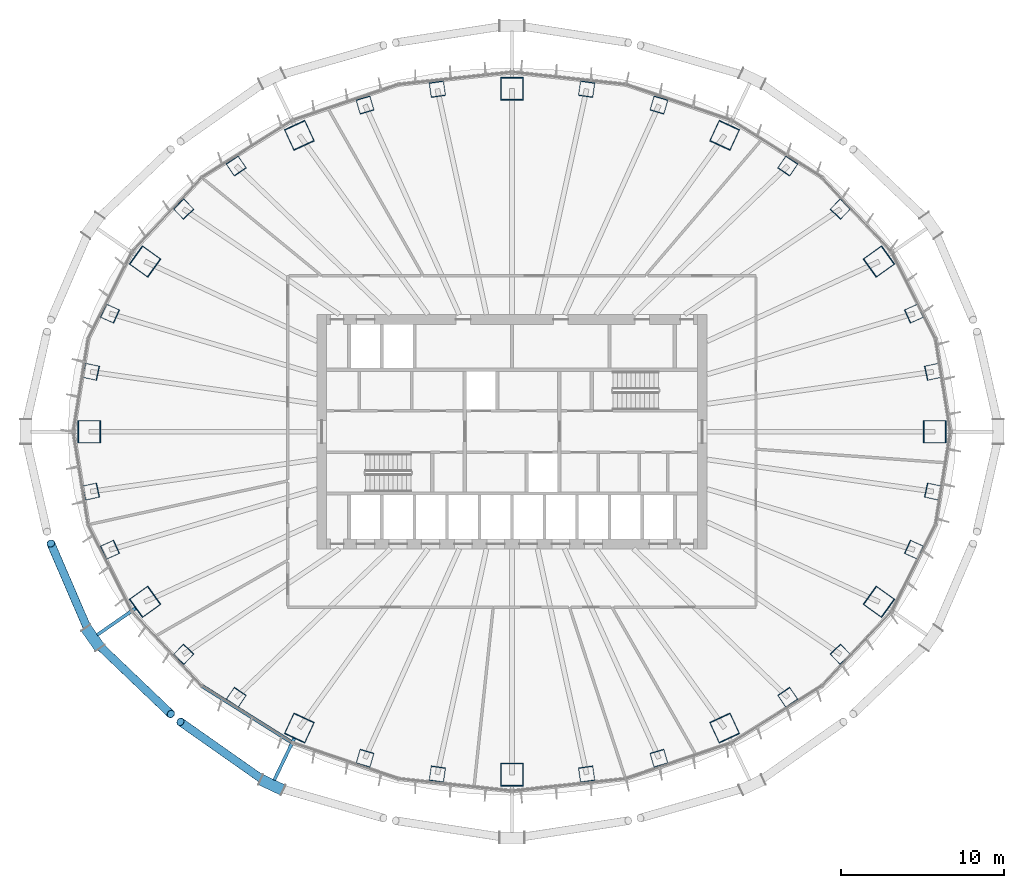
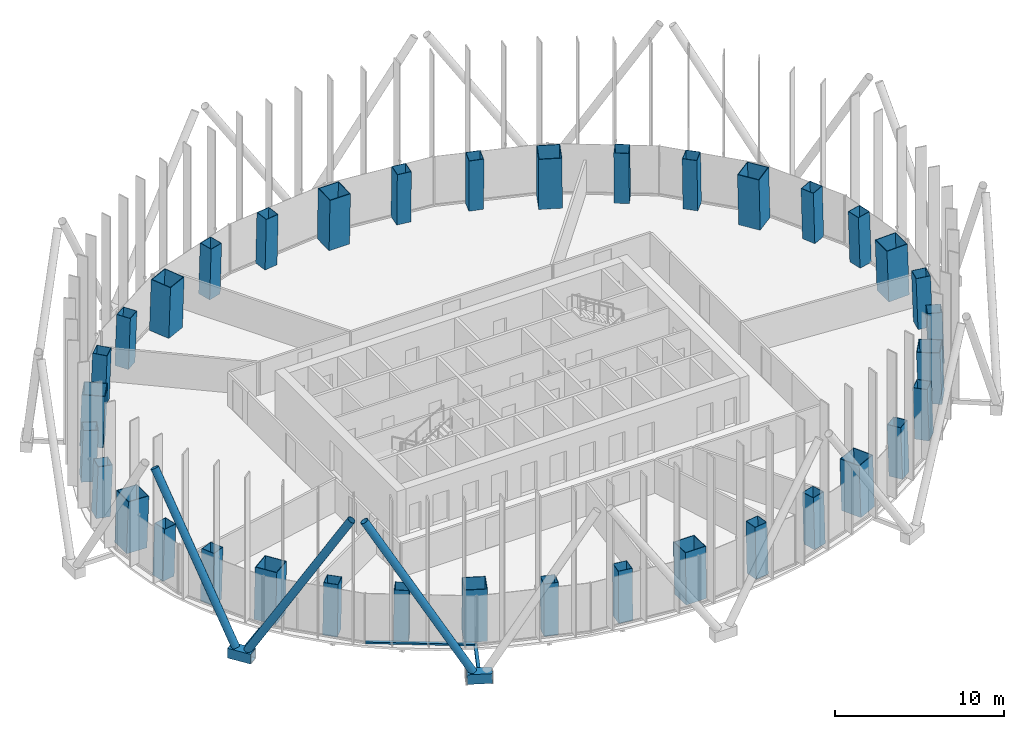
# One storey, part 1 of 21: 36 columns, 8 members, 1 element without a shape of its own.
"""IFC4 building model written with IfcOpenShell, lengths in metres."""

from ifc_helpers import new_model, si_unit, direction, frame, origin, origin_2d, place, context, subcontext, project, spatial, rectangle, hollow_rectangle, hollow_circle, extrude, material, layer, layer_set, material_profile, profile_set, type_object, element, aggregate, save


model = new_model("IFC4")

# Units and contexts
model_context = context("Model", 3, precision=1e-05, world=origin(), true_north=direction((0.0, 1.0)))
body_context = subcontext(model_context, "Body", "Model", "MODEL_VIEW")
ifc_project = project(units=[si_unit("LENGTHUNIT", "METRE"), si_unit("AREAUNIT", "SQUARE_METRE"), si_unit("VOLUMEUNIT", "CUBIC_METRE"), si_unit("PLANEANGLEUNIT", "RADIAN"), si_unit("MASSUNIT", "GRAM", prefix="KILO")], contexts=[model_context])

# Site, building, storey
site_placement = place(None, origin())
site = spatial("IfcSite", under=ifc_project, at=site_placement, CompositionType="ELEMENT")
building_placement = place(site_placement, origin())
building = spatial("IfcBuilding", under=site, at=building_placement, Name="Siaravel Broadcast Tower", CompositionType="ELEMENT")
storey_placement = place(building_placement, frame((0.0, 0.0, 70.39990234375)))
storey = spatial("IfcBuildingStorey", under=building, at=storey_placement, Name="L16", CompositionType="ELEMENT", Elevation=70.39990234375)

# Columns
ifc_material_1 = material(Name="Concrete C70/85", Category="concrete")
ifc_material_profile_1 = material_profile(ifc_material_1, hollow_rectangle(XDim=1.39990234375, YDim=1.39990234375, WallThickness=0.0400390625, at=origin_2d()))
ifc_profile_set_1 = profile_set([ifc_material_profile_1], Name="Concrete C70/85")
column_type_1 = type_object("IfcColumnType", Name="COL-CFT BOX 1400x1400x40", PredefinedType="COLUMN", material=ifc_profile_set_1)
column_1_placement = place(storey_placement, frame((26.005615234375, 0.0, 0.0), z_axis=(-0.034553121, 0.0, 0.999402863), x_axis=(0.0, -1.0, 0.0)))
element("IfcColumn", 1, at=column_1_placement, inside=storey, type_object=column_type_1, Name="Megacolumn MC01", PredefinedType="COLUMN", context=body_context, shape_type="SweptSolid", body=[
    extrude(hollow_rectangle(XDim=1.39990234375, YDim=1.39990234375, WallThickness=0.0400390625, at=origin_2d()), origin(), (0.0, 0.0, 1.0), 3.702392578125),
])
column_2_placement = place(storey_placement, frame((22.5751953125, 10.467529296875, 0.0), z_axis=(-0.030004578, -0.014177988, 0.999449203), x_axis=(0.581949059, -0.813203585, 0.005934815)))
element("IfcColumn", 2, at=column_2_placement, inside=storey, type_object=column_type_1, Name="Megacolumn MC02", PredefinedType="COLUMN", context=body_context, shape_type="SweptSolid", body=[
    extrude(hollow_rectangle(XDim=1.39990234375, YDim=1.39990234375, WallThickness=0.0400390625, at=origin_2d()), origin(), (0.0, 0.0, 1.0), 3.7021484375),
])
column_3_placement = place(storey_placement, frame((13.08251953125, 18.233642578125, 0.0), z_axis=(-0.017279098, -0.024533681, 0.999549664), x_axis=(0.90767175, -0.419646202, 0.005390711)))
element("IfcColumn", 3, at=column_3_placement, inside=storey, type_object=column_type_1, Name="Megacolumn MC03", PredefinedType="COLUMN", context=body_context, shape_type="SweptSolid", body=[
    extrude(hollow_rectangle(XDim=1.39990234375, YDim=1.39990234375, WallThickness=0.0400390625, at=origin_2d()), origin(), (0.0, 0.0, 1.0), 3.701904296875),
])
column_4_placement = place(storey_placement, frame((0.0, 21.1025390625, 0.0), z_axis=(0.0, -0.028294289, 0.999599636), x_axis=(1.0, 0.0, 0.0)))
element("IfcColumn", 4, at=column_4_placement, inside=storey, type_object=column_type_1, Name="Megacolumn MC04", PredefinedType="COLUMN", context=body_context, shape_type="SweptSolid", body=[
    extrude(hollow_rectangle(XDim=1.39990234375, YDim=1.39990234375, WallThickness=0.0400390625, at=origin_2d()), origin(), (0.0, 0.0, 1.0), 3.70166015625),
])
column_5_placement = place(storey_placement, frame((-13.08251953125, 18.233642578125, 0.0), z_axis=(0.017279098, -0.024533681, 0.999549664), x_axis=(0.90767175, 0.419646202, -0.005390711)))
element("IfcColumn", 5, at=column_5_placement, inside=storey, type_object=column_type_1, Name="Megacolumn MC05", PredefinedType="COLUMN", context=body_context, shape_type="SweptSolid", body=[
    extrude(hollow_rectangle(XDim=1.39990234375, YDim=1.39990234375, WallThickness=0.0400390625, at=origin_2d()), origin(), (0.0, 0.0, 1.0), 3.701904296875),
])
column_6_placement = place(storey_placement, frame((-22.5751953125, 10.467529296875, 0.0), z_axis=(0.030004578, -0.014177988, 0.999449203), x_axis=(0.581949059, 0.813203585, -0.005934815)))
element("IfcColumn", 6, at=column_6_placement, inside=storey, type_object=column_type_1, Name="Megacolumn MC06", PredefinedType="COLUMN", context=body_context, shape_type="SweptSolid", body=[
    extrude(hollow_rectangle(XDim=1.39990234375, YDim=1.39990234375, WallThickness=0.0400390625, at=origin_2d()), origin(), (0.0, 0.0, 1.0), 3.7021484375),
])
column_7_placement = place(storey_placement, frame((-26.005615234375, 0.0, 0.0), z_axis=(0.034553121, 0.0, 0.999402863), x_axis=(0.0, 1.0, 0.0)))
element("IfcColumn", 7, at=column_7_placement, inside=storey, type_object=column_type_1, Name="Megacolumn MC07", PredefinedType="COLUMN", context=body_context, shape_type="SweptSolid", body=[
    extrude(hollow_rectangle(XDim=1.39990234375, YDim=1.39990234375, WallThickness=0.0400390625, at=origin_2d()), origin(), (0.0, 0.0, 1.0), 3.702392578125),
])
column_8_placement = place(storey_placement, frame((-22.5751953125, -10.467529296875, 0.0), z_axis=(0.030004578, 0.014177988, 0.999449203), x_axis=(-0.581949059, 0.813203585, 0.005934815)))
element("IfcColumn", 8, at=column_8_placement, inside=storey, type_object=column_type_1, Name="Megacolumn MC08", PredefinedType="COLUMN", context=body_context, shape_type="SweptSolid", body=[
    extrude(hollow_rectangle(XDim=1.39990234375, YDim=1.39990234375, WallThickness=0.0400390625, at=origin_2d()), origin(), (0.0, 0.0, 1.0), 3.7021484375),
])
column_9_placement = place(storey_placement, frame((-13.08251953125, -18.233642578125, 0.0), z_axis=(0.017279098, 0.024533681, 0.999549664), x_axis=(-0.90767175, 0.419646202, 0.005390711)))
element("IfcColumn", 9, at=column_9_placement, inside=storey, type_object=column_type_1, Name="Megacolumn MC09", PredefinedType="COLUMN", context=body_context, shape_type="SweptSolid", body=[
    extrude(hollow_rectangle(XDim=1.39990234375, YDim=1.39990234375, WallThickness=0.0400390625, at=origin_2d()), origin(), (0.0, 0.0, 1.0), 3.701904296875),
])
column_10_placement = place(storey_placement, frame((0.0, -21.1025390625, 0.0), z_axis=(0.0, 0.028294289, 0.999599636), x_axis=(-1.0, 0.0, 0.0)))
element("IfcColumn", 10, at=column_10_placement, inside=storey, type_object=column_type_1, Name="Megacolumn MC10", PredefinedType="COLUMN", context=body_context, shape_type="SweptSolid", body=[
    extrude(hollow_rectangle(XDim=1.39990234375, YDim=1.39990234375, WallThickness=0.0400390625, at=origin_2d()), origin(), (0.0, 0.0, 1.0), 3.70166015625),
])
column_11_placement = place(storey_placement, frame((13.08251953125, -18.233642578125, 0.0), z_axis=(-0.017279098, 0.024533681, 0.999549664), x_axis=(-0.90767175, -0.419646202, -0.005390711)))
element("IfcColumn", 11, at=column_11_placement, inside=storey, type_object=column_type_1, Name="Megacolumn MC11", PredefinedType="COLUMN", context=body_context, shape_type="SweptSolid", body=[
    extrude(hollow_rectangle(XDim=1.39990234375, YDim=1.39990234375, WallThickness=0.0400390625, at=origin_2d()), origin(), (0.0, 0.0, 1.0), 3.701904296875),
])
column_12_placement = place(storey_placement, frame((22.5751953125, -10.467529296875, 0.0), z_axis=(-0.030004578, 0.014177988, 0.999449203), x_axis=(-0.581949059, -0.813203585, -0.005934815)))
element("IfcColumn", 12, at=column_12_placement, inside=storey, type_object=column_type_1, Name="Megacolumn MC12", PredefinedType="COLUMN", context=body_context, shape_type="SweptSolid", body=[
    extrude(hollow_rectangle(XDim=1.39990234375, YDim=1.39990234375, WallThickness=0.0400390625, at=origin_2d()), origin(), (0.0, 0.0, 1.0), 3.7021484375),
])
ifc_material_profile_2 = material_profile(ifc_material_1, hollow_rectangle(XDim=0.89990234375, YDim=0.89990234375, WallThickness=0.02490234375, at=origin_2d()))
ifc_profile_set_2 = profile_set([ifc_material_profile_2], Name="Concrete C70/85")
column_type_2 = type_object("IfcColumnType", Name="COL-CFT BOX 900x900x25", PredefinedType="COLUMN", material=ifc_profile_set_2)
for number, where, z_axis, x_axis, name in (
    (13, (25.911865234375, 3.68701171875, 0.0), (-0.034091668, -0.004879658, 0.999406798), (0.211208553, -0.977437993, 0.002432331), "Perimeter column C01"),
    (14, (24.739990234375, 7.268798828125, 0.0), (-0.032509649, -0.009693546, 0.999424413), (0.409647025, -0.912233122, 0.004477284), "Perimeter column C02"),
):
    element("IfcColumn", number, at=place(storey_placement, frame(where, z_axis=z_axis, x_axis=x_axis)), inside=storey, type_object=column_type_2, Name=name, PredefinedType="COLUMN", context=body_context, shape_type="SweptSolid", body=[
        extrude(hollow_rectangle(XDim=0.89990234375, YDim=0.89990234375, WallThickness=0.02490234375, at=origin_2d()), origin(), (0.0, 0.0, 1.0), 3.702392578125),
    ])
column_13_placement = place(storey_placement, frame((20.205322265625, 13.69921875, 0.0), z_axis=(-0.026510399, -0.018267116, 0.999481621), x_axis=(0.72073143, -0.693184415, 0.00644774)))
element("IfcColumn", 15, at=column_13_placement, inside=storey, type_object=column_type_2, Name="Perimeter column C03", PredefinedType="COLUMN", context=body_context, shape_type="SweptSolid", body=[
    extrude(hollow_rectangle(XDim=0.89990234375, YDim=0.89990234375, WallThickness=0.02490234375, at=origin_2d()), origin(), (0.0, 0.0, 1.0), 3.7021484375),
])
column_14_placement = place(storey_placement, frame((16.97021484375, 16.348876953125, 0.0), z_axis=(-0.022290606, -0.02169707, 0.999516066), x_axis=(0.82695159, -0.562238528, 0.006237342)))
element("IfcColumn", 16, at=column_14_placement, inside=storey, type_object=column_type_2, Name="Perimeter column C04", PredefinedType="COLUMN", context=body_context, shape_type="SweptSolid", body=[
    extrude(hollow_rectangle(XDim=0.89990234375, YDim=0.89990234375, WallThickness=0.02490234375, at=origin_2d()), origin(), (0.0, 0.0, 1.0), 3.701904296875),
])
for number, where, z_axis, x_axis, name in (
    (17, (9.0419921875, 20.096923828125, 0.0), (-0.011805488, -0.026644788, 0.999575253), (0.959911384, -0.280276987, 0.003865943), "Perimeter column C05"),
    (18, (4.592529296875, 21.073486328125, 0.0), (-0.006001778, -0.027898372, 0.999592747), (0.990103455, -0.140324746, 0.002028375), "Perimeter column C06"),
    (19, (-4.592529296875, 21.073486328125, 0.0), (0.006001778, -0.027898372, 0.999592747), (0.990103455, 0.140324746, -0.002028375), "Perimeter column C07"),
    (20, (-9.0419921875, 20.096923828125, 0.0), (0.011805488, -0.026644788, 0.999575253), (0.959911384, 0.280276987, -0.003865943), "Perimeter column C08"),
):
    element("IfcColumn", number, at=place(storey_placement, frame(where, z_axis=z_axis, x_axis=x_axis)), inside=storey, type_object=column_type_2, Name=name, PredefinedType="COLUMN", context=body_context, shape_type="SweptSolid", body=[
        extrude(hollow_rectangle(XDim=0.89990234375, YDim=0.89990234375, WallThickness=0.02490234375, at=origin_2d()), origin(), (0.0, 0.0, 1.0), 3.70166015625),
    ])
column_15_placement = place(storey_placement, frame((-16.97021484375, 16.348876953125, 0.0), z_axis=(0.022290606, -0.02169707, 0.999516066), x_axis=(0.82695159, 0.562238528, -0.006237342)))
element("IfcColumn", 21, at=column_15_placement, inside=storey, type_object=column_type_2, Name="Perimeter column C09", PredefinedType="COLUMN", context=body_context, shape_type="SweptSolid", body=[
    extrude(hollow_rectangle(XDim=0.89990234375, YDim=0.89990234375, WallThickness=0.02490234375, at=origin_2d()), origin(), (0.0, 0.0, 1.0), 3.701904296875),
])
column_16_placement = place(storey_placement, frame((-20.205322265625, 13.69921875, 0.0), z_axis=(0.026510399, -0.018267116, 0.999481621), x_axis=(0.72073143, 0.693184415, -0.00644774)))
element("IfcColumn", 22, at=column_16_placement, inside=storey, type_object=column_type_2, Name="Perimeter column C10", PredefinedType="COLUMN", context=body_context, shape_type="SweptSolid", body=[
    extrude(hollow_rectangle(XDim=0.89990234375, YDim=0.89990234375, WallThickness=0.02490234375, at=origin_2d()), origin(), (0.0, 0.0, 1.0), 3.7021484375),
])
for number, where, z_axis, x_axis, name in (
    (23, (-24.739990234375, 7.268798828125, 0.0), (0.032509649, -0.009693546, 0.999424413), (0.409647025, 0.912233122, -0.004477284), "Perimeter column C11"),
    (24, (-25.911865234375, 3.68701171875, 0.0), (0.034091668, -0.004879658, 0.999406798), (0.211208553, 0.977437993, -0.002432331), "Perimeter column C12"),
    (25, (-25.911865234375, -3.68701171875, 0.0), (0.034091668, 0.004879658, 0.999406798), (-0.211208553, 0.977437993, 0.002432331), "Perimeter column C13"),
    (26, (-24.739990234375, -7.268798828125, 0.0), (0.032509649, 0.009693546, 0.999424413), (-0.409647025, 0.912233122, 0.004477284), "Perimeter column C14"),
):
    element("IfcColumn", number, at=place(storey_placement, frame(where, z_axis=z_axis, x_axis=x_axis)), inside=storey, type_object=column_type_2, Name=name, PredefinedType="COLUMN", context=body_context, shape_type="SweptSolid", body=[
        extrude(hollow_rectangle(XDim=0.89990234375, YDim=0.89990234375, WallThickness=0.02490234375, at=origin_2d()), origin(), (0.0, 0.0, 1.0), 3.702392578125),
    ])
column_17_placement = place(storey_placement, frame((-20.205322265625, -13.69921875, 0.0), z_axis=(0.026510399, 0.018267116, 0.999481621), x_axis=(-0.72073143, 0.693184415, 0.00644774)))
element("IfcColumn", 27, at=column_17_placement, inside=storey, type_object=column_type_2, Name="Perimeter column C15", PredefinedType="COLUMN", context=body_context, shape_type="SweptSolid", body=[
    extrude(hollow_rectangle(XDim=0.89990234375, YDim=0.89990234375, WallThickness=0.02490234375, at=origin_2d()), origin(), (0.0, 0.0, 1.0), 3.7021484375),
])
column_18_placement = place(storey_placement, frame((-16.97021484375, -16.348876953125, 0.0), z_axis=(0.022290606, 0.02169707, 0.999516066), x_axis=(-0.82695159, 0.562238528, 0.006237342)))
element("IfcColumn", 28, at=column_18_placement, inside=storey, type_object=column_type_2, Name="Perimeter column C16", PredefinedType="COLUMN", context=body_context, shape_type="SweptSolid", body=[
    extrude(hollow_rectangle(XDim=0.89990234375, YDim=0.89990234375, WallThickness=0.02490234375, at=origin_2d()), origin(), (0.0, 0.0, 1.0), 3.701904296875),
])
for number, where, z_axis, x_axis, name in (
    (29, (-9.0419921875, -20.096923828125, 0.0), (0.011805488, 0.026644788, 0.999575253), (-0.959911384, 0.280276987, 0.003865943), "Perimeter column C17"),
    (30, (-4.592529296875, -21.073486328125, 0.0), (0.006001778, 0.027898372, 0.999592747), (-0.990103455, 0.140324746, 0.002028375), "Perimeter column C18"),
    (31, (4.592529296875, -21.073486328125, 0.0), (-0.006001778, 0.027898372, 0.999592747), (-0.990103455, -0.140324746, -0.002028375), "Perimeter column C19"),
    (32, (9.0419921875, -20.096923828125, 0.0), (-0.011805488, 0.026644788, 0.999575253), (-0.959911384, -0.280276987, -0.003865943), "Perimeter column C20"),
):
    element("IfcColumn", number, at=place(storey_placement, frame(where, z_axis=z_axis, x_axis=x_axis)), inside=storey, type_object=column_type_2, Name=name, PredefinedType="COLUMN", context=body_context, shape_type="SweptSolid", body=[
        extrude(hollow_rectangle(XDim=0.89990234375, YDim=0.89990234375, WallThickness=0.02490234375, at=origin_2d()), origin(), (0.0, 0.0, 1.0), 3.70166015625),
    ])
column_19_placement = place(storey_placement, frame((16.97021484375, -16.348876953125, 0.0), z_axis=(-0.022290606, 0.02169707, 0.999516066), x_axis=(-0.82695159, -0.562238528, -0.006237342)))
element("IfcColumn", 33, at=column_19_placement, inside=storey, type_object=column_type_2, Name="Perimeter column C21", PredefinedType="COLUMN", context=body_context, shape_type="SweptSolid", body=[
    extrude(hollow_rectangle(XDim=0.89990234375, YDim=0.89990234375, WallThickness=0.02490234375, at=origin_2d()), origin(), (0.0, 0.0, 1.0), 3.701904296875),
])
column_20_placement = place(storey_placement, frame((20.205322265625, -13.69921875, 0.0), z_axis=(-0.026510399, 0.018267116, 0.999481621), x_axis=(-0.72073143, -0.693184415, -0.00644774)))
element("IfcColumn", 34, at=column_20_placement, inside=storey, type_object=column_type_2, Name="Perimeter column C22", PredefinedType="COLUMN", context=body_context, shape_type="SweptSolid", body=[
    extrude(hollow_rectangle(XDim=0.89990234375, YDim=0.89990234375, WallThickness=0.02490234375, at=origin_2d()), origin(), (0.0, 0.0, 1.0), 3.7021484375),
])
for number, where, z_axis, x_axis, name in (
    (35, (24.739990234375, -7.268798828125, 0.0), (-0.032509649, 0.009693546, 0.999424413), (-0.409647025, -0.912233122, -0.004477284), "Perimeter column C23"),
    (36, (25.911865234375, -3.68701171875, 0.0), (-0.034091668, 0.004879658, 0.999406798), (-0.211208553, -0.977437993, -0.002432331), "Perimeter column C24"),
):
    element("IfcColumn", number, at=place(storey_placement, frame(where, z_axis=z_axis, x_axis=x_axis)), inside=storey, type_object=column_type_2, Name=name, PredefinedType="COLUMN", context=body_context, shape_type="SweptSolid", body=[
        extrude(hollow_rectangle(XDim=0.89990234375, YDim=0.89990234375, WallThickness=0.02490234375, at=origin_2d()), origin(), (0.0, 0.0, 1.0), 3.702392578125),
    ])

# Curtain wall, member
ifc_material_2 = material(Name="Aluminium 6063-T6", Category="aluminium")
ifc_layer = layer(ifc_material_2, 0.219970703125)
ifc_layer_set = layer_set([ifc_layer], Name="Aluminium 6063-T6")
curtain_wall_type = type_object("IfcCurtainWallType", Name="Unitised curtain wall, zone 1", PredefinedType="NOTDEFINED", material=ifc_layer_set)
curtain_wall_placement = place(storey_placement, origin())
curtain_wall = element("IfcCurtainWall", 37, at=curtain_wall_placement, inside=storey, type_object=curtain_wall_type, Name="L16 Unitised curtain wall, zone 1 08", PredefinedType="NOTDEFINED")
ifc_material_profile_3 = material_profile(ifc_material_2, rectangle(XDim=0.219970703125, YDim=0.1201171875, at=origin_2d()))
ifc_profile_set_3 = profile_set([ifc_material_profile_3], Name="Aluminium 6063-T6")
member_type_1 = type_object("IfcMemberType", Name="CW-Z1 transom", PredefinedType="USERDEFINED", material=ifc_profile_set_3)
member_1_placement = place(storey_placement, frame((-19.03271484375, -15.645751953125, 0.06005859375), z_axis=(0.846662211, -0.532130717, 0.0), x_axis=(0.532130717, 0.846662211, 0.0)))
member_1 = element("IfcMember", 38, at=member_1_placement, type_object=member_type_1, Name="CW-Z1 transom 2", ObjectType="TRANSOM", PredefinedType="USERDEFINED", context=body_context, shape_type="SweptSolid", body=[
    extrude(rectangle(XDim=0.219970703125, YDim=0.1201171875, at=origin_2d()), origin(), (0.0, 0.0, 1.0), 6.49072265625),
])
aggregate(curtain_wall, [member_1])

# Members
ifc_material_3 = material(Name="Steel S460", Category="steel")
ifc_material_profile_4 = material_profile(ifc_material_3, hollow_circle(Radius=0.25390625, WallThickness=0.02001953125, at=origin_2d()))
ifc_profile_set_4 = profile_set([ifc_material_profile_4], Name="Steel S460")
member_type_2 = type_object("IfcMemberType", Name="Diagrid diagonal CHS 508x20", PredefinedType="BRACE", material=ifc_profile_set_4)
member_2_placement = place(storey_placement, frame((-25.984375, -12.367919921875, 0.1201171875), z_axis=(-0.196300242, 0.455899612, 0.868113909), x_axis=(-0.918476496, -0.395475569, 0.0)))
element("IfcMember", 39, at=member_2_placement, inside=storey, type_object=member_type_2, Name="Diagrid diagonal R07 station 42C", PredefinedType="BRACE", context=body_context, shape_type="SweptSolid", body=[
    extrude(hollow_circle(Radius=0.25390625, WallThickness=0.02001953125, at=origin_2d()), origin(), (0.0, 0.0, 1.0), 12.049072265625),
])
member_3_placement = place(storey_placement, frame((-25.547119140625, -12.988037109375, 0.1201171875), z_axis=(0.37426482, -0.357569586, 0.855610797), x_axis=(0.690795924, 0.723049785, 0.0)))
element("IfcMember", 40, at=member_3_placement, inside=storey, type_object=member_type_2, Name="Diagrid diagonal R07 station 42A", PredefinedType="BRACE", context=body_context, shape_type="SweptSolid", body=[
    extrude(hollow_circle(Radius=0.25390625, WallThickness=0.02001953125, at=origin_2d()), origin(), (0.0, 0.0, 1.0), 12.22509765625),
])
member_4_placement = place(storey_placement, frame((-15.103515625, -21.552490234375, 0.1201171875), z_axis=(-0.429662089, 0.302026707, 0.850981996), x_axis=(-0.575075518, -0.818100329, 0.0)))
element("IfcMember", 41, at=member_4_placement, inside=storey, type_object=member_type_2, Name="Diagrid diagonal R07 station 48C", PredefinedType="BRACE", context=body_context, shape_type="SweptSolid", body=[
    extrude(hollow_circle(Radius=0.25390625, WallThickness=0.02001953125, at=origin_2d()), origin(), (0.0, 0.0, 1.0), 12.291748046875),
])
ifc_material_profile_5 = material_profile(ifc_material_3, hollow_rectangle(XDim=0.699951171875, YDim=0.699951171875, WallThickness=0.0400390625, at=origin_2d()))
ifc_profile_set_5 = profile_set([ifc_material_profile_5], Name="Steel S460")
member_type_3 = type_object("IfcMemberType", Name="Diagrid node BOX 700x700x40", PredefinedType="USERDEFINED", material=ifc_profile_set_5)
for number, where, z_axis, x_axis, name in (
    (42, (-26.19970703125, -12.06201171875, -0.199951171875), (0.576015054, -0.817439085, 0.0), (0.817439085, 0.576015054, 0.0), "Diagrid node R07 station 42"),
    (43, (-15.44140625, -21.392578125, -0.199951171875), (0.903968656, -0.427598724, 0.0), (0.427598724, 0.903968656, 0.0), "Diagrid node R07 station 48"),
):
    element("IfcMember", number, at=place(storey_placement, frame(where, z_axis=z_axis, x_axis=x_axis)), inside=storey, type_object=member_type_3, Name=name, ObjectType="DIAGRID NODE", PredefinedType="USERDEFINED", context=body_context, shape_type="SweptSolid", body=[
        extrude(hollow_rectangle(XDim=0.699951171875, YDim=0.699951171875, WallThickness=0.0400390625, at=origin_2d()), origin(), (0.0, 0.0, 1.0), 1.5068359375),
    ])
ifc_material_profile_6 = material_profile(ifc_material_3, hollow_rectangle(XDim=0.199951171875, YDim=0.300048828125, WallThickness=0.012451171875, at=origin_2d()))
ifc_profile_set_6 = profile_set([ifc_material_profile_6], Name="Steel S460")
member_type_4 = type_object("IfcMemberType", Name="Diagrid node arm RHS 300x200x12.5", PredefinedType="STRUT", material=ifc_profile_set_6)
member_5_placement = place(storey_placement, frame((-23.1259765625, -10.84912109375, -0.199951171875), z_axis=(-0.822018884, -0.569460231, 0.0), x_axis=(0.569460231, -0.822018884, 0.0)))
element("IfcMember", 44, at=member_5_placement, inside=storey, type_object=member_type_4, Name="Node arm R07 station 42", PredefinedType="STRUT", context=body_context, shape_type="SweptSolid", body=[
    extrude(hollow_rectangle(XDim=0.199951171875, YDim=0.300048828125, WallThickness=0.012451171875, at=origin_2d()), origin(), (0.0, 0.0, 1.0), 2.891357421875),
])
member_6_placement = place(storey_placement, frame((-13.37353515625, -18.837158203125, -0.199951171875), z_axis=(-0.434188426, -0.900822075, 0.0), x_axis=(0.900822075, -0.434188426, 0.0)))
element("IfcMember", 45, at=member_6_placement, inside=storey, type_object=member_type_4, Name="Node arm R07 station 48", PredefinedType="STRUT", context=body_context, shape_type="SweptSolid", body=[
    extrude(hollow_rectangle(XDim=0.199951171875, YDim=0.300048828125, WallThickness=0.012451171875, at=origin_2d()), origin(), (0.0, 0.0, 1.0), 2.87451171875),
])

save(model, "model.ifc")
